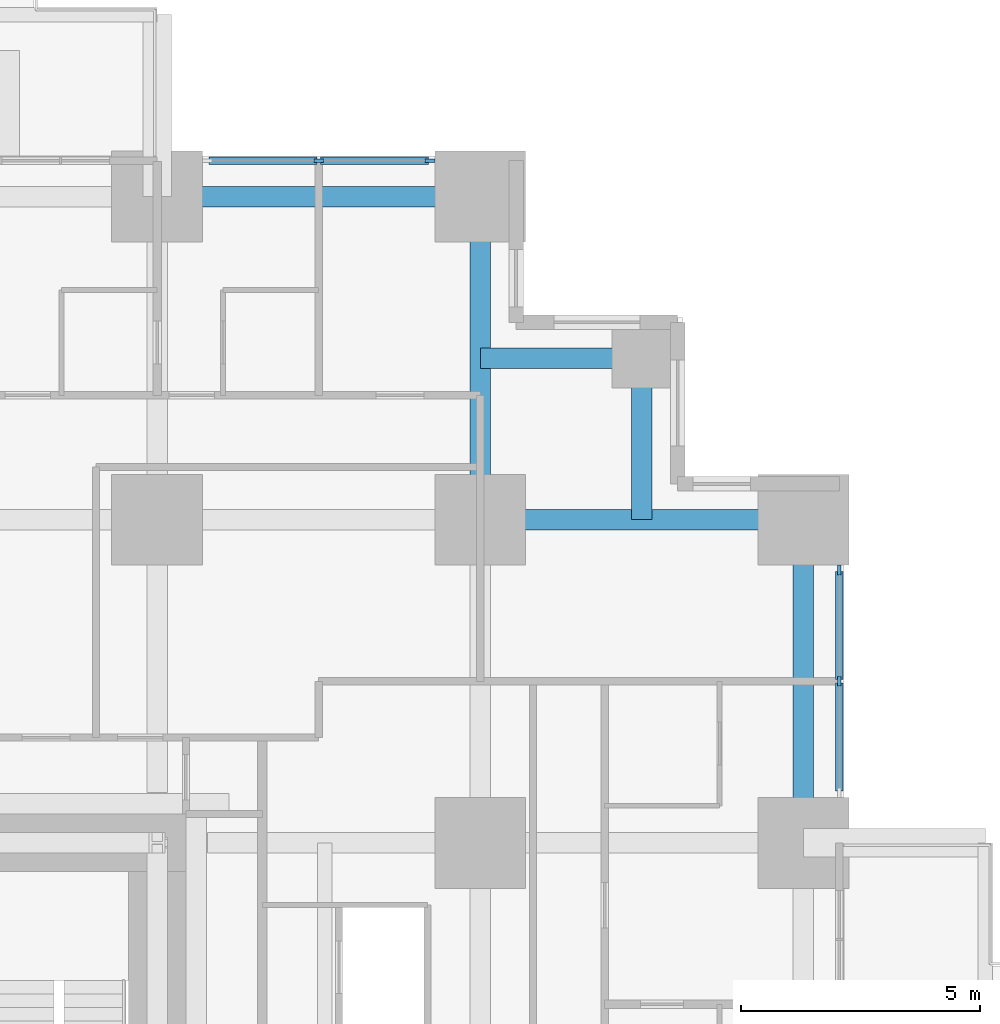
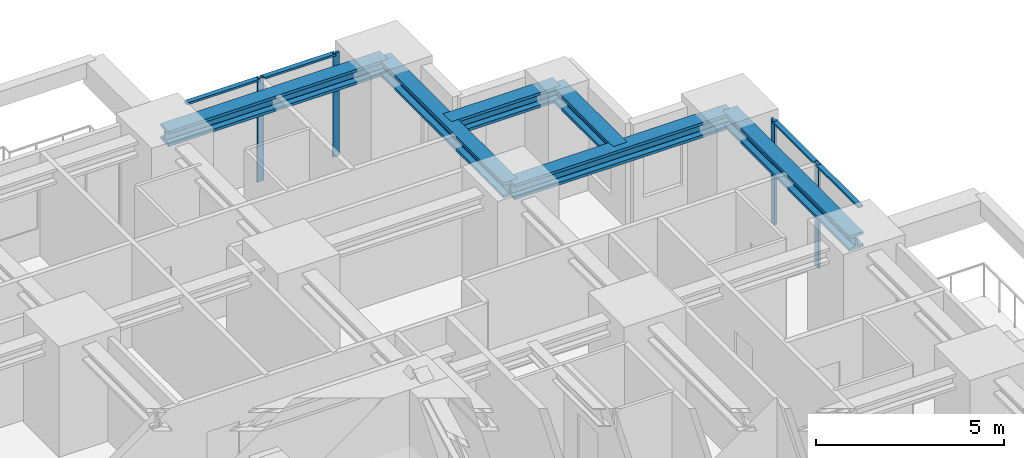
# One storey, part 6 of 14: 8 members, 6 beams, 2 elements without a shape of their own.
"""IFC4 building model written with IfcOpenShell, lengths in metres."""

from ifc_helpers import new_model, si_unit, direction, frame, origin, origin_2d, place, context, subcontext, project, spatial, rectangle, i_section, extrude, material, material_profile, profile_set, type_object, element, aggregate, save


model = new_model("IFC4")

# Units and contexts
model_context = context("Model", 3, precision=1e-05, world=origin(), true_north=direction((0.0, 1.0)))
body_context = subcontext(model_context, "Body", "Model", "MODEL_VIEW")
ifc_project = project(units=[si_unit("LENGTHUNIT", "METRE"), si_unit("AREAUNIT", "SQUARE_METRE"), si_unit("VOLUMEUNIT", "CUBIC_METRE"), si_unit("PLANEANGLEUNIT", "RADIAN"), si_unit("MASSUNIT", "GRAM", prefix="KILO")], contexts=[model_context])

# Site, building, storey
site_placement = place(None, origin())
site = spatial("IfcSite", under=ifc_project, at=site_placement, CompositionType="ELEMENT")
building_placement = place(site_placement, origin())
building = spatial("IfcBuilding", under=site, at=building_placement, Name="Nyansa Garden Tower", CompositionType="ELEMENT")
storey_placement = place(building_placement, frame((0.0, 0.0, 43.199951171875)))
storey = spatial("IfcBuildingStorey", under=building, at=storey_placement, Name="L11", CompositionType="ELEMENT", Elevation=43.199951171875)

# Curtain wall, members
ifc_material_1 = material(Name="Black anodised aluminium, dark tinted double glazing", Category="aluminium")
curtain_wall_type = type_object("IfcCurtainWallType", Name="Inner skin curtain wall ISW-A", PredefinedType="USERDEFINED", material=ifc_material_1)
curtain_wall_1_placement = place(storey_placement, origin())
curtain_wall_1 = element("IfcCurtainWall", 1, at=curtain_wall_1_placement, inside=storey, type_object=curtain_wall_type, Name="Inner skin curtain wall L11 E", ObjectType="UNITISED CURTAIN WALL", PredefinedType="USERDEFINED")
ifc_material_2 = material(Name="Black anodised aluminium", Category="aluminium")
ifc_material_profile_1 = material_profile(ifc_material_2, rectangle(XDim=0.06494140625, YDim=0.199951171875, at=origin_2d()), Name="Mullion 200x65")
ifc_profile_set_1 = profile_set([ifc_material_profile_1], Name="Black anodised aluminium")
member_type_1 = type_object("IfcMemberType", Name="Mullion ISW-A 200x65", PredefinedType="MULLION", material=ifc_profile_set_1)
member_1_placement = place(storey_placement, frame((41.25, 30.375, 0.0), z_axis=(0.0, 0.0, 1.0), x_axis=(-1.0, 0.0, 0.0)))
member_1 = element("IfcMember", 2, at=member_1_placement, type_object=member_type_1, Name="ISW-A mullion 2", PredefinedType="MULLION", context=body_context, shape_type="SweptSolid", body=[
    extrude(rectangle(XDim=0.06494140625, YDim=0.199951171875, at=origin_2d()), origin(), (0.0, 0.0, 1.0), 3.375),
])
member_2_placement = place(storey_placement, frame((41.25, 32.699951171875, 0.0), z_axis=(0.0, 0.0, 1.0), x_axis=(-1.0, 0.0, 0.0)))
member_2 = element("IfcMember", 3, at=member_2_placement, type_object=member_type_1, Name="ISW-A mullion 3", PredefinedType="MULLION", context=body_context, shape_type="SweptSolid", body=[
    extrude(rectangle(XDim=0.06494140625, YDim=0.199951171875, at=origin_2d()), origin(), (0.0, 0.0, 1.0), 3.375),
])

curtain_wall_2_placement = place(storey_placement, origin())
curtain_wall_2 = element("IfcCurtainWall", 4, at=curtain_wall_2_placement, inside=storey, type_object=curtain_wall_type, Name="Inner skin curtain wall L11 N", ObjectType="UNITISED CURTAIN WALL", PredefinedType="USERDEFINED")
member_3_placement = place(storey_placement, frame((32.699951171875, 41.25, 0.0), z_axis=(0.0, 0.0, 1.0), x_axis=(0.0, -1.0, 0.0)))
member_3 = element("IfcMember", 5, at=member_3_placement, type_object=member_type_1, Name="ISW-A mullion 1", PredefinedType="MULLION", context=body_context, shape_type="SweptSolid", body=[
    extrude(rectangle(XDim=0.06494140625, YDim=0.199951171875, at=origin_2d()), origin(), (0.0, 0.0, 1.0), 3.375),
])
member_4_placement = place(storey_placement, frame((30.375, 41.25, 0.0), z_axis=(0.0, 0.0, 1.0), x_axis=(0.0, -1.0, 0.0)))
member_4 = element("IfcMember", 6, at=member_4_placement, type_object=member_type_1, Name="ISW-A mullion 2", PredefinedType="MULLION", context=body_context, shape_type="SweptSolid", body=[
    extrude(rectangle(XDim=0.06494140625, YDim=0.199951171875, at=origin_2d()), origin(), (0.0, 0.0, 1.0), 3.375),
])

# Beams
ifc_material_3 = material(Name="Steel S355", Category="steel")
ifc_material_profile_2 = material_profile(ifc_material_3, i_section(OverallWidth=0.431884765625, OverallDepth=0.498046875, WebThickness=0.0556640625, FlangeThickness=0.0888671875, FilletRadius=0.014892578125, at=origin_2d()), Name="HD 400x744")
ifc_profile_set_2 = profile_set([ifc_material_profile_2], Name="Steel S355")
beam_type_1 = type_object("IfcBeamType", Name="Steel beam SBA1-744 HD 400x744", PredefinedType="BEAM", material=ifc_profile_set_2)
for number, where, z_axis, x_axis, name in (
    (7, (33.75, 33.75, 3.1259765625), (0.0, 1.0, 0.0), (-1.0, 0.0, 0.0), "Steel beam 7/J-7/K L12"),
    (8, (33.75, 33.75, 3.1259765625), (1.0, 0.0, 0.0), (0.0, 1.0, 0.0), "Steel beam 7/J-8/J L12"),
):
    element("IfcBeam", number, at=place(storey_placement, frame(where, z_axis=z_axis, x_axis=x_axis)), inside=storey, type_object=beam_type_1, Name=name, PredefinedType="BEAM", context=body_context, shape_type="SweptSolid", body=[
        extrude(i_section(OverallWidth=0.431884765625, OverallDepth=0.498046875, WebThickness=0.0556640625, FlangeThickness=0.0888671875, FilletRadius=0.014892578125, at=origin_2d()), origin(), (0.0, 0.0, 1.0), 6.75),
    ])
ifc_material_4 = material(Name="Steel S355", Category="steel")
ifc_material_profile_3 = material_profile(ifc_material_4, i_section(OverallWidth=0.431884765625, OverallDepth=0.498046875, WebThickness=0.0556640625, FlangeThickness=0.0888671875, FilletRadius=0.014892578125, at=origin_2d()), Name="HD 400x744")
ifc_profile_set_3 = profile_set([ifc_material_profile_3], Name="Steel S355")
beam_type_2 = type_object("IfcBeamType", Name="Steel beam SEBA-744 HD 400x744", PredefinedType="BEAM", material=ifc_profile_set_3)
for number, where, z_axis, x_axis, name in (
    (9, (27.0, 40.5, 3.1259765625), (1.0, 0.0, 0.0), (0.0, 1.0, 0.0), "Steel edge beam 6/K-7/K L12"),
    (10, (40.5, 27.0, 3.1259765625), (0.0, 1.0, 0.0), (-1.0, 0.0, 0.0), "Steel edge beam 8/H-8/J L12"),
):
    element("IfcBeam", number, at=place(storey_placement, frame(where, z_axis=z_axis, x_axis=x_axis)), inside=storey, type_object=beam_type_2, Name=name, PredefinedType="BEAM", context=body_context, shape_type="SweptSolid", body=[
        extrude(i_section(OverallWidth=0.431884765625, OverallDepth=0.498046875, WebThickness=0.0556640625, FlangeThickness=0.0888671875, FilletRadius=0.014892578125, at=origin_2d()), origin(), (0.0, 0.0, 1.0), 6.75),
    ])
ifc_material_5 = material(Name="Steel S355", Category="steel")
ifc_material_profile_4 = material_profile(ifc_material_5, i_section(OverallWidth=0.431884765625, OverallDepth=0.498046875, WebThickness=0.0556640625, FlangeThickness=0.0888671875, FilletRadius=0.014892578125, at=origin_2d()), Name="HD 400x744")
ifc_profile_set_4 = profile_set([ifc_material_profile_4], Name="Steel S355")
beam_type_3 = type_object("IfcBeamType", Name="Steel beam SSB1-744 HD 400x744", PredefinedType="BEAM", material=ifc_profile_set_4)
for number, where, z_axis, x_axis, name in (
    (11, (37.125, 37.125, 3.1259765625), (0.0, -1.0, 0.0), (1.0, 0.0, 0.0), "Steel step beam 37.125/37.125 L12"),
    (12, (37.125, 37.125, 3.1259765625), (-1.0, 0.0, 0.0), (0.0, -1.0, 0.0), "Steel step beam 37.125/37.125 L12"),
):
    element("IfcBeam", number, at=place(storey_placement, frame(where, z_axis=z_axis, x_axis=x_axis)), inside=storey, type_object=beam_type_3, Name=name, PredefinedType="BEAM", context=body_context, shape_type="SweptSolid", body=[
        extrude(i_section(OverallWidth=0.431884765625, OverallDepth=0.498046875, WebThickness=0.0556640625, FlangeThickness=0.0888671875, FilletRadius=0.014892578125, at=origin_2d()), origin(), (0.0, 0.0, 1.0), 3.375),
    ])

# Member
ifc_material_6 = material(Name="Black anodised aluminium", Category="aluminium")
ifc_material_profile_5 = material_profile(ifc_material_6, rectangle(XDim=0.14990234375, YDim=0.06494140625, at=origin_2d()), Name="Transom 150x65")
ifc_profile_set_5 = profile_set([ifc_material_profile_5], Name="Black anodised aluminium")
member_type_2 = type_object("IfcMemberType", Name="Transom ISW-A 150x65", PredefinedType="USERDEFINED", material=ifc_profile_set_5)
member_5_placement = place(storey_placement, frame((41.25, 28.08251953125, 3.342529296875), z_axis=(0.0, 1.0, 0.0), x_axis=(-1.0, 0.0, 0.0)))
member_5 = element("IfcMember", 13, at=member_5_placement, type_object=member_type_2, Name="ISW-A transom 1", ObjectType="TRANSOM", PredefinedType="USERDEFINED", context=body_context, shape_type="SweptSolid", body=[
    extrude(rectangle(XDim=0.14990234375, YDim=0.06494140625, at=origin_2d()), origin(), (0.0, 0.0, 1.0), 2.260009765625),
])

member_6_placement = place(storey_placement, frame((41.25, 30.407470703125, 3.342529296875), z_axis=(0.0, 1.0, 0.0), x_axis=(-1.0, 0.0, 0.0)))
member_6 = element("IfcMember", 14, at=member_6_placement, type_object=member_type_2, Name="ISW-A transom 2", ObjectType="TRANSOM", PredefinedType="USERDEFINED", context=body_context, shape_type="SweptSolid", body=[
    extrude(rectangle(XDim=0.14990234375, YDim=0.06494140625, at=origin_2d()), origin(), (0.0, 0.0, 1.0), 2.260009765625),
])

aggregate(curtain_wall_1, [member_1, member_2, member_5, member_6])

member_7_placement = place(storey_placement, frame((32.66748046875, 41.25, 3.342529296875), z_axis=(-1.0, 0.0, 0.0), x_axis=(0.0, -1.0, 0.0)))
member_7 = element("IfcMember", 15, at=member_7_placement, type_object=member_type_2, Name="ISW-A transom 1", ObjectType="TRANSOM", PredefinedType="USERDEFINED", context=body_context, shape_type="SweptSolid", body=[
    extrude(rectangle(XDim=0.14990234375, YDim=0.06494140625, at=origin_2d()), origin(), (0.0, 0.0, 1.0), 2.260009765625),
])

member_8_placement = place(storey_placement, frame((30.342529296875, 41.25, 3.342529296875), z_axis=(-1.0, 0.0, 0.0), x_axis=(0.0, -1.0, 0.0)))
member_8 = element("IfcMember", 16, at=member_8_placement, type_object=member_type_2, Name="ISW-A transom 2", ObjectType="TRANSOM", PredefinedType="USERDEFINED", context=body_context, shape_type="SweptSolid", body=[
    extrude(rectangle(XDim=0.14990234375, YDim=0.06494140625, at=origin_2d()), origin(), (0.0, 0.0, 1.0), 2.260009765625),
])

aggregate(curtain_wall_2, [member_3, member_4, member_7, member_8])

save(model, "model.ifc")
